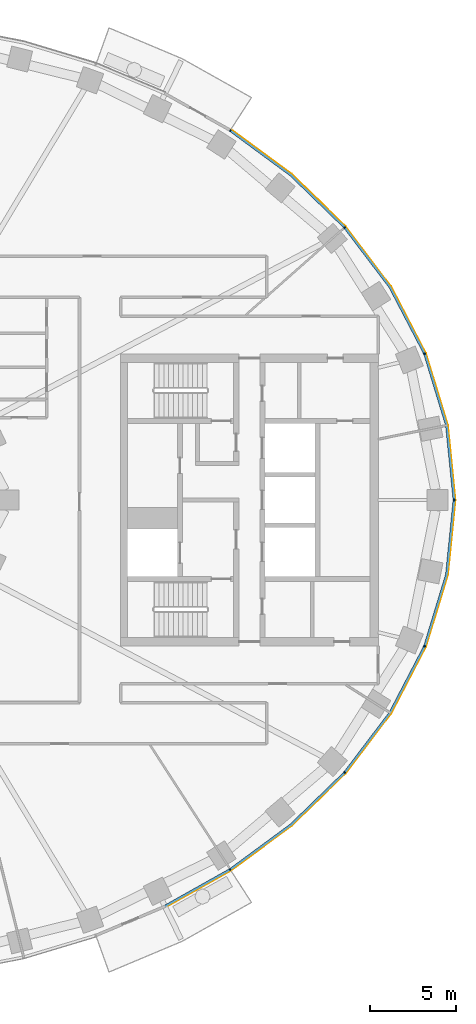
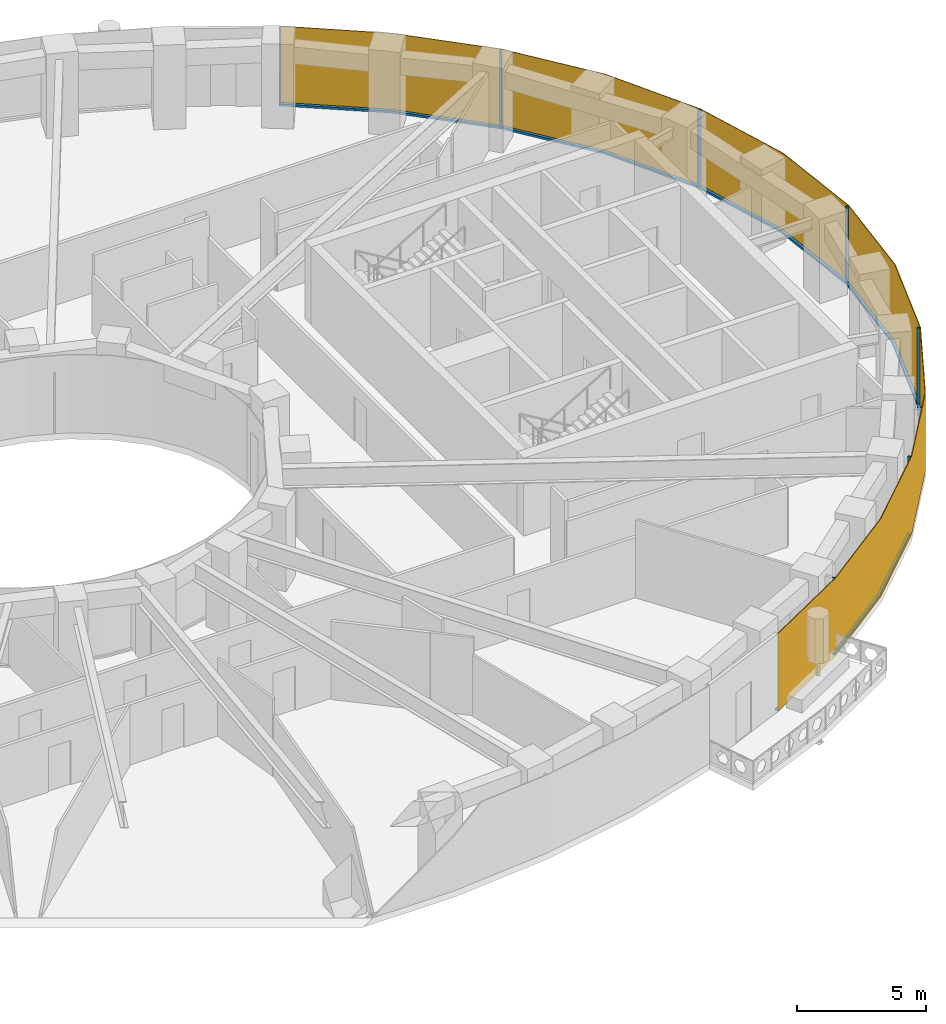
# One storey, part 11 of 15: 14 members, 1 curtain wall.
"""IFC4 building model written with IfcOpenShell, lengths in metres."""

from ifc_helpers import new_model, si_unit, direction, frame, origin, origin_2d, place, context, subcontext, project, spatial, polyline, rectangle, outline, extrude, material, layer, layer_set, material_profile, profile_set, type_object, element, aggregate, save


model = new_model("IFC4")

# Units and contexts
model_context = context("Model", 3, precision=1e-05, world=origin(), true_north=direction((0.0, 1.0)))
body_context = subcontext(model_context, "Body", "Model", "MODEL_VIEW")
ifc_project = project(units=[si_unit("LENGTHUNIT", "METRE"), si_unit("AREAUNIT", "SQUARE_METRE"), si_unit("VOLUMEUNIT", "CUBIC_METRE"), si_unit("PLANEANGLEUNIT", "RADIAN"), si_unit("MASSUNIT", "GRAM", prefix="KILO")], contexts=[model_context])

# Member
ifc_material_1 = material(Name="Aluminium 6063-T6 black anodised", Category="aluminium")
ifc_material_profile = material_profile(ifc_material_1, rectangle(XDim=0.1201171875, YDim=0.06005859375, at=origin_2d()), Name="120x60")
ifc_profile_set = profile_set([ifc_material_profile], Name="Aluminium 6063-T6 black anodised")
member_type_1 = type_object("IfcMemberType", Name="ENV-MULLION-A-120", PredefinedType="MULLION", material=ifc_profile_set)
site_placement = place(None, origin())
building_placement = place(site_placement, origin())
storey_placement = place(building_placement, frame((0.0, 0.0, 128.0)))
member_1_placement = place(storey_placement, frame((22.882568359375, -21.506591796875, 0.0), z_axis=(0.0, 0.0, 1.0), x_axis=(-0.542279153225, 0.840198381323, 0.0)))
member_1 = element("IfcMember", 1, at=member_1_placement, type_object=member_type_1, Name="Mullion A radial 41", PredefinedType="MULLION", context=body_context, shape_type="SweptSolid", body=[
    extrude(rectangle(XDim=0.1201171875, YDim=0.06005859375, at=origin_2d()), origin(), (0.0, 0.0, 1.0), 3.699951171875),
])

member_2_placement = place(storey_placement, frame((29.53857421875, -15.8671875, 0.0), z_axis=(0.0, 0.0, 1.0), x_axis=(-0.749047221705, 0.662516610853, 0.0)))
member_2 = element("IfcMember", 2, at=member_2_placement, type_object=member_type_1, Name="Mullion A radial 43", PredefinedType="MULLION", context=body_context, shape_type="SweptSolid", body=[
    extrude(rectangle(XDim=0.1201171875, YDim=0.06005859375, at=origin_2d()), origin(), (0.0, 0.0, 1.0), 3.699951171875),
])

member_3_placement = place(storey_placement, frame((34.19580078125, -8.513916015625, 0.0), z_axis=(0.0, 0.0, 1.0), x_axis=(-0.92546738067, 0.378827305398, 0.0)))
member_3 = element("IfcMember", 3, at=member_3_placement, type_object=member_type_1, Name="Mullion A radial 45", PredefinedType="MULLION", context=body_context, shape_type="SweptSolid", body=[
    extrude(rectangle(XDim=0.1201171875, YDim=0.06005859375, at=origin_2d()), origin(), (0.0, 0.0, 1.0), 3.699951171875),
])

member_4_placement = place(storey_placement, frame((35.907958984375, 0.0, 0.0), z_axis=(0.0, 0.0, 1.0), x_axis=(-1.0, 0.0, 0.0)))
member_4 = element("IfcMember", 4, at=member_4_placement, type_object=member_type_1, Name="Mullion A radial 01", PredefinedType="MULLION", context=body_context, shape_type="SweptSolid", body=[
    extrude(rectangle(XDim=0.1201171875, YDim=0.06005859375, at=origin_2d()), origin(), (0.0, 0.0, 1.0), 3.699951171875),
])

member_5_placement = place(storey_placement, frame((34.19580078125, 8.513916015625, 0.0), z_axis=(0.0, 0.0, 1.0), x_axis=(-0.92546738067, -0.378827305398, 0.0)))
member_5 = element("IfcMember", 5, at=member_5_placement, type_object=member_type_1, Name="Mullion A radial 03", PredefinedType="MULLION", context=body_context, shape_type="SweptSolid", body=[
    extrude(rectangle(XDim=0.1201171875, YDim=0.06005859375, at=origin_2d()), origin(), (0.0, 0.0, 1.0), 3.699951171875),
])

member_6_placement = place(storey_placement, frame((29.53857421875, 15.8671875, 0.0), z_axis=(0.0, 0.0, 1.0), x_axis=(-0.749047221705, -0.662516610853, 0.0)))
member_6 = element("IfcMember", 6, at=member_6_placement, type_object=member_type_1, Name="Mullion A radial 05", PredefinedType="MULLION", context=body_context, shape_type="SweptSolid", body=[
    extrude(rectangle(XDim=0.1201171875, YDim=0.06005859375, at=origin_2d()), origin(), (0.0, 0.0, 1.0), 3.699951171875),
])

member_7_placement = place(storey_placement, frame((22.882568359375, 21.506591796875, 0.0), z_axis=(0.0, 0.0, 1.0), x_axis=(-0.542279153225, -0.840198381323, 0.0)))
member_7 = element("IfcMember", 7, at=member_7_placement, type_object=member_type_1, Name="Mullion A radial 07", PredefinedType="MULLION", context=body_context, shape_type="SweptSolid", body=[
    extrude(rectangle(XDim=0.1201171875, YDim=0.06005859375, at=origin_2d()), origin(), (0.0, 0.0, 1.0), 3.699951171875),
])

ifc_material_2 = material(Name="Aluminium 6063-T6 black anodised", Category="aluminium")
member_type_2 = type_object("IfcMemberType", Name="ENV-TRANSOM-A", PredefinedType="USERDEFINED", material=ifc_material_2)
member_8_placement = place(storey_placement, origin())
member_8 = element("IfcMember", 8, at=member_8_placement, type_object=member_type_2, Name="Transom A radial 40-41", ObjectType="TRANSOM", PredefinedType="USERDEFINED", context=body_context, shape_type="SweptSolid", body=[
    extrude(outline(polyline([(19.111572265625, -23.691650390625), (22.890625, -21.570556640625), (22.825439453125, -21.469482421875), (19.058837890625, -23.58349609375), (19.111572265625, -23.691650390625)])), origin(), (0.0, 0.0, 1.0), 0.10009765625),
])

member_9_placement = place(storey_placement, origin())
member_9 = element("IfcMember", 9, at=member_9_placement, type_object=member_type_2, Name="Transom A radial 41-43", ObjectType="TRANSOM", PredefinedType="USERDEFINED", context=body_context, shape_type="SweptSolid", body=[
    extrude(outline(polyline([(22.937744140625, -21.540283203125), (26.4423828125, -18.958740234375), (29.5634765625, -15.926513671875), (29.473388671875, -15.8466796875), (26.364501953125, -18.866943359375), (22.87255859375, -21.439208984375), (22.937744140625, -21.540283203125)])), origin(), (0.0, 0.0, 1.0), 0.10009765625),
])

member_10_placement = place(storey_placement, origin())
member_10 = element("IfcMember", 10, at=member_10_placement, type_object=member_type_2, Name="Transom A radial 43-45", ObjectType="TRANSOM", PredefinedType="USERDEFINED", context=body_context, shape_type="SweptSolid", body=[
    extrude(outline(polyline([(29.6005859375, -15.884521484375), (32.22802734375, -12.41748046875), (34.23828125, -8.5615234375), (34.126708984375, -8.515869140625), (32.126220703125, -12.35302734375), (29.51025390625, -15.8046875), (29.6005859375, -15.884521484375)])), origin(), (0.0, 0.0, 1.0), 0.10009765625),
])

member_11_placement = place(storey_placement, origin())
member_11 = element("IfcMember", 11, at=member_11_placement, type_object=member_type_2, Name="Transom A radial 45-01", ObjectType="TRANSOM", PredefinedType="USERDEFINED", context=body_context, shape_type="SweptSolid", body=[
    extrude(outline(polyline([(34.259521484375, -8.509765625), (35.529541015625, -4.352294921875), (35.965087890625, -0.02783203125), (35.844482421875, -0.02783203125), (35.411376953125, -4.32861328125), (34.14794921875, -8.464111328125), (34.259521484375, -8.509765625)])), origin(), (0.0, 0.0, 1.0), 0.10009765625),
])

member_12_placement = place(storey_placement, origin())
member_12 = element("IfcMember", 12, at=member_12_placement, type_object=member_type_2, Name="Transom A radial 01-03", ObjectType="TRANSOM", PredefinedType="USERDEFINED", context=body_context, shape_type="SweptSolid", body=[
    extrude(outline(polyline([(35.965087890625, 0.02783203125), (35.529541015625, 4.352294921875), (34.259521484375, 8.509765625), (34.14794921875, 8.464111328125), (35.411376953125, 4.32861328125), (35.844482421875, 0.02783203125), (35.965087890625, 0.02783203125)])), origin(), (0.0, 0.0, 1.0), 0.10009765625),
])

member_13_placement = place(storey_placement, origin())
member_13 = element("IfcMember", 13, at=member_13_placement, type_object=member_type_2, Name="Transom A radial 03-05", ObjectType="TRANSOM", PredefinedType="USERDEFINED", context=body_context, shape_type="SweptSolid", body=[
    extrude(outline(polyline([(34.23828125, 8.5615234375), (32.22802734375, 12.41748046875), (29.6005859375, 15.884521484375), (29.51025390625, 15.8046875), (32.126220703125, 12.35302734375), (34.126708984375, 8.515869140625), (34.23828125, 8.5615234375)])), origin(), (0.0, 0.0, 1.0), 0.10009765625),
])

member_14_placement = place(storey_placement, origin())
member_14 = element("IfcMember", 14, at=member_14_placement, type_object=member_type_2, Name="Transom A radial 05-07", ObjectType="TRANSOM", PredefinedType="USERDEFINED", context=body_context, shape_type="SweptSolid", body=[
    extrude(outline(polyline([(29.5634765625, 15.926513671875), (26.4423828125, 18.958740234375), (22.937744140625, 21.540283203125), (22.87255859375, 21.439208984375), (26.364501953125, 18.866943359375), (29.473388671875, 15.8466796875), (29.5634765625, 15.926513671875)])), origin(), (0.0, 0.0, 1.0), 0.10009765625),
])

# Site, building, storey
site = spatial("IfcSite", under=ifc_project, at=site_placement, CompositionType="ELEMENT")
building = spatial("IfcBuilding", under=site, at=building_placement, Name="Noorbagh Ring Tower", CompositionType="ELEMENT")
storey = spatial("IfcBuildingStorey", under=building, at=storey_placement, Name="L29", CompositionType="ELEMENT", Elevation=128.0)

# Curtain wall
ifc_material_3 = material(Name="Glass dark tinted laminated", Category="glass")
ifc_layer = layer(ifc_material_3, 0.031982421875)
ifc_layer_set = layer_set([ifc_layer], Name="Glass dark tinted laminated")
curtain_wall_type = type_object("IfcCurtainWallType", Name="ENV-CW-A", PredefinedType="NOTDEFINED", material=ifc_layer_set)
curtain_wall_placement = place(storey_placement, origin())
curtain_wall = element("IfcCurtainWall", 15, at=curtain_wall_placement, inside=storey, type_object=curtain_wall_type, Name="Curtain wall A R40", PredefinedType="NOTDEFINED", context=body_context, shape_type="SweptSolid", body=[
    extrude(outline(polyline([(19.125732421875, -23.720458984375), (22.9326171875, -21.583740234375), (26.463134765625, -18.9833984375), (29.607666015625, -15.927978515625), (32.255126953125, -12.434814453125), (34.281005859375, -8.548828125), (35.561279296875, -4.358642578125), (36.0, 0.0), (35.561279296875, 4.358642578125), (34.281005859375, 8.548828125), (32.255126953125, 12.434814453125), (29.607666015625, 15.927978515625), (26.463134765625, 18.9833984375), (22.948486328125, 21.572021484375), (22.931396484375, 21.544921875), (26.4423828125, 18.958740234375), (29.58349609375, 15.906982421875), (32.22802734375, 12.41748046875), (34.251220703125, 8.53662109375), (35.529541015625, 4.352294921875), (35.9677734375, 0.0), (35.529541015625, -4.352294921875), (34.251220703125, -8.53662109375), (32.22802734375, -12.41748046875), (29.58349609375, -15.906982421875), (26.4423828125, -18.958740234375), (22.9150390625, -21.556884765625), (19.111572265625, -23.691650390625), (19.125732421875, -23.720458984375)])), origin(), (0.0, 0.0, 1.0), 3.699951171875),
])

aggregate(curtain_wall, [member_1, member_2, member_3, member_4, member_5, member_6, member_7, member_8, member_9, member_10, member_11, member_12, member_13, member_14])

save(model, "model.ifc")
